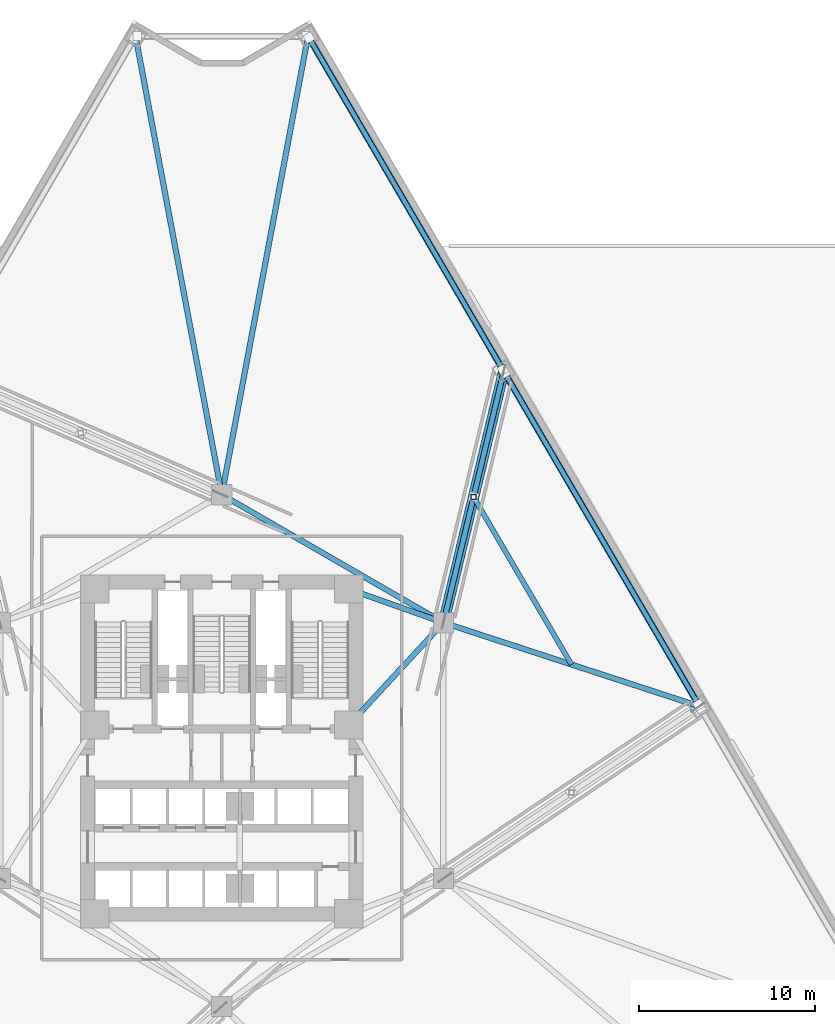
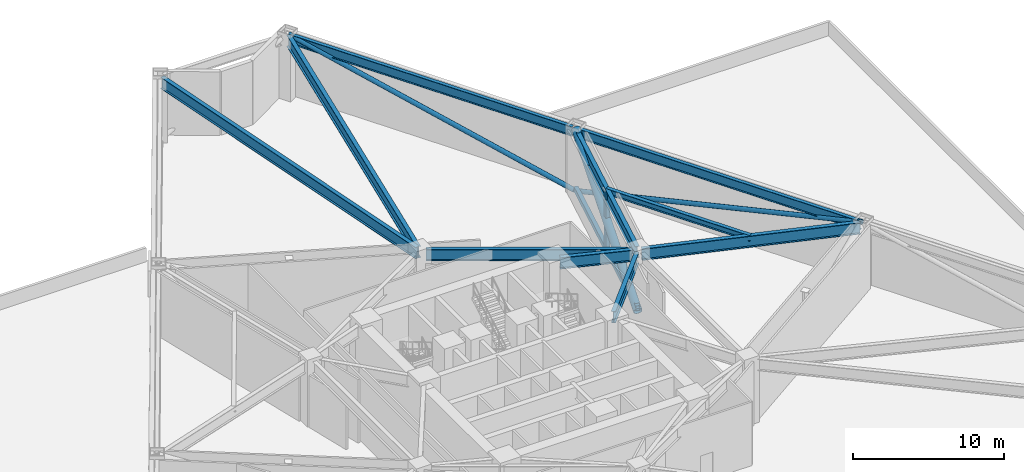
# One storey, part 6 of 23: 10 beams, 5 members.
"""IFC4 building model written with IfcOpenShell, lengths in metres."""

import ifcopenshell
import ifcopenshell.guid

model = None  # the IFC model being written
_history = None  # IfcOwnerHistory: only IFC2X3 demands one
_inside = {}  # id of a spatial element -> (the spatial element, [elements in it])
_under = {}  # id of a project, library or spatial element -> (it, [spatial elements below it])
_declared = {}  # id of a project -> (the project, [libraries it declares])
_typed = {}  # id of a type object -> (the type object, [elements of that type])
_made_of = {}  # id of a material, layer set ... -> (it, [elements and type objects made of it])


def new_model(schema):
    """Start an empty IFC model of exactly this schema.

    Asked for "IFC4X3", IfcOpenShell would pick the latest addendum, in which some entities
    have other attributes; the version numbers below select the first issue.
    IFC2X3 requires an IfcOwnerHistory on every rooted entity: one is made here for all.
    """
    global model, _history
    if schema == "IFC4X3":
        model = ifcopenshell.file(schema_version=(4, 3, 0, 0))
    else:
        model = ifcopenshell.file(schema=schema)
    _inside.clear()
    _under.clear()
    _declared.clear()
    _typed.clear()
    _made_of.clear()
    _history = None
    if model.schema == "IFC2X3":
        org = make("IfcOrganization", Name="unknown")
        user = make(
            "IfcPersonAndOrganization",
            ThePerson=make("IfcPerson", FamilyName="unknown"),
            TheOrganization=org,
        )
        app = make(
            "IfcApplication",
            ApplicationDeveloper=org,
            Version="unknown",
            ApplicationFullName="unknown",
            ApplicationIdentifier="unknown",
        )
        _history = make(
            "IfcOwnerHistory",
            OwningUser=user,
            OwningApplication=app,
            ChangeAction="ADDED",
            CreationDate=0,
        )
    return model


def make(cls, **values):
    """One entity of the class cls with the attributes given. An attribute that is None is left unset."""
    return model.create_entity(
        cls, **{name: value for name, value in values.items() if value is not None}
    )


def rooted(cls, **values):
    """An entity with a GlobalId (a new one), such as an element, a storey or a relation."""
    return make(cls, GlobalId=ifcopenshell.guid.new(), OwnerHistory=_history, **values)


def si_unit(unit_type, name, prefix=None):
    """IfcSIUnit, for example si_unit("LENGTHUNIT", "METRE", prefix="MILLI")."""
    return make("IfcSIUnit", UnitType=unit_type, Prefix=prefix, Name=name)


def assignment(units):
    """IfcUnitAssignment: the units of a project."""
    return None if units is None else make("IfcUnitAssignment", Units=units)


def point(xyz):
    """IfcCartesianPoint."""
    return None if xyz is None else make("IfcCartesianPoint", Coordinates=xyz)


def direction(xyz):
    """IfcDirection."""
    return None if xyz is None else make("IfcDirection", DirectionRatios=xyz)


def frame(location, z_axis=None, x_axis=None):
    """IfcAxis2Placement3D, a coordinate frame: its origin and axes. An axis left out is left unset."""
    return make(
        "IfcAxis2Placement3D",
        Location=point(location),
        Axis=direction(z_axis),
        RefDirection=direction(x_axis),
    )


def frame_2d(location, x_axis=None):
    """IfcAxis2Placement2D, a coordinate frame in the plane: its origin and x axis."""
    return make(
        "IfcAxis2Placement2D", Location=point(location), RefDirection=direction(x_axis)
    )


def origin():
    """The frame at (0, 0, 0) with its axes left unset."""
    return frame((0.0, 0.0, 0.0))


def origin_2d():
    """The frame at (0, 0) in the plane with its x axis left unset."""
    return frame_2d((0.0, 0.0))


def place(relative_to, where):
    """IfcLocalPlacement: puts the frame where relative to a parent placement (None: the world)."""
    return make(
        "IfcLocalPlacement", PlacementRelTo=relative_to, RelativePlacement=where
    )


def context(
    kind, dimensions, precision=None, world=None, true_north=None, identifier=None
):
    """IfcGeometricRepresentationContext, for example the 3D "Model" context."""
    return make(
        "IfcGeometricRepresentationContext",
        ContextIdentifier=identifier,
        ContextType=kind,
        CoordinateSpaceDimension=dimensions,
        Precision=precision,
        WorldCoordinateSystem=world,
        TrueNorth=true_north,
    )


def subcontext(parent, identifier, kind, view, scale=None):
    """IfcGeometricRepresentationSubContext, for example "Body" below "Model"."""
    return make(
        "IfcGeometricRepresentationSubContext",
        ContextIdentifier=identifier,
        ContextType=kind,
        ParentContext=parent,
        TargetScale=scale,
        TargetView=view,
    )


def project(units=None, contexts=None):
    """IfcProject with its units and contexts."""
    return rooted(
        "IfcProject",
        Name="project",
        RepresentationContexts=contexts,
        UnitsInContext=assignment(units),
    )


def spatial(cls, under=None, at=None, **own):
    """A site, building, storey or space (cls), placed at a placement, below another one or the project."""
    s = rooted(cls, ObjectPlacement=at, **own)
    if under is not None:
        _under.setdefault(under.id(), (under, []))[1].append(s)
    return s


def profile(cls, at=None, kind="AREA", **sizes):
    """A parametric profile (cls). Its sizes go by their IFC names, for example OverallWidth=200.0."""
    return make(cls, ProfileType=kind, Position=at, **sizes)


def hollow_rectangle(**sizes):
    """IfcRectangleHollowProfileDef."""
    return profile("IfcRectangleHollowProfileDef", **sizes)


def hollow_circle(**sizes):
    """IfcCircleHollowProfileDef."""
    return profile("IfcCircleHollowProfileDef", **sizes)


def i_section(**sizes):
    """IfcIShapeProfileDef."""
    return profile("IfcIShapeProfileDef", **sizes)


def extrude(swept, where, along, depth):
    """IfcExtrudedAreaSolid: the profile swept, set in the frame where, extruded along a direction by depth."""
    return make(
        "IfcExtrudedAreaSolid",
        SweptArea=swept,
        Position=where,
        ExtrudedDirection=direction(along),
        Depth=depth,
    )


def shape(context_of_items, identifier, shape_type, items):
    """IfcShapeRepresentation: the items that make up one representation, for example the "Body"."""
    return make(
        "IfcShapeRepresentation",
        ContextOfItems=context_of_items,
        RepresentationIdentifier=identifier,
        RepresentationType=shape_type,
        Items=items,
    )


def material(Name=None, Category=None):
    """IfcMaterial."""
    return make("IfcMaterial", Name=Name, Category=Category)


def material_profile(
    of_material, cross_section, Name=None, Category=None, Priority=None
):
    """IfcMaterialProfile: a cross section and its material."""
    return make(
        "IfcMaterialProfile",
        Name=Name,
        Material=of_material,
        Profile=cross_section,
        Priority=Priority,
        Category=Category,
    )


def profile_set(profiles, Name=None, composite=None):
    """IfcMaterialProfileSet."""
    return make(
        "IfcMaterialProfileSet",
        Name=Name,
        MaterialProfiles=profiles,
        CompositeProfile=composite,
    )


def made_of(thing, what):
    """Note that an element or type object is made of a material, layer set ...; save() writes the relation."""
    if what is not None:
        _made_of.setdefault(what.id(), (what, []))[1].append(thing)
    return thing


def type_object(cls, material=None, **own):
    """A type object (cls), such as IfcWallType, which elements share."""
    return made_of(rooted(cls, **own), material)


def element(
    cls,
    number,
    at=None,
    inside=None,
    cuts=None,
    type_object=None,
    material=None,
    context=None,
    identifier="Body",
    shape_type=None,
    held_by="IfcProductDefinitionShape",
    body=None,
    shapes=None,
    **own,
):
    """One element of the class cls, such as IfcWall. Its Tag is "e" and its number.

    at: its placement. inside: the storey or other place that contains it. cuts: it is an
    opening in that element (IfcRelVoidsElement). A single representation is given by context,
    identifier, shape_type and body (its items); several are given by shapes. held_by: the class
    of the entity that holds the representations. save() writes the other relations.
    """
    e = rooted(cls, Tag="e%d" % number, ObjectPlacement=at, **own)
    if body is not None:
        shapes = [shape(context, identifier, shape_type, body)]
    if shapes is not None:
        e.Representation = make(held_by, Representations=shapes)
    if inside is not None:
        _inside.setdefault(inside.id(), (inside, []))[1].append(e)
    if cuts is not None:
        rooted(
            "IfcRelVoidsElement", RelatingBuildingElement=cuts, RelatedOpeningElement=e
        )
    if type_object is not None:
        _typed.setdefault(type_object.id(), (type_object, []))[1].append(e)
    return made_of(e, material)


def aggregate(whole, parts):
    """IfcRelAggregates: a whole, such as a stair, and the parts it consists of."""
    return rooted("IfcRelAggregates", RelatingObject=whole, RelatedObjects=parts)


def save(model, path):
    """Write the relations noted so far, then the file.

    IfcRelAggregates (storeys below a building ...), IfcRelContainedInSpatialStructure (elements
    in a storey), IfcRelDefinesByType, IfcRelAssociatesMaterial and IfcRelDeclares: one each for
    every whole, place, type object, material and project.
    """
    for whole, parts in _under.values():
        aggregate(whole, parts)
    for where, things in _inside.values():
        rooted(
            "IfcRelContainedInSpatialStructure",
            RelatedElements=things,
            RelatingStructure=where,
        )
    for kind, things in _typed.values():
        rooted("IfcRelDefinesByType", RelatedObjects=things, RelatingType=kind)
    for what, things in _made_of.values():
        rooted("IfcRelAssociatesMaterial", RelatedObjects=things, RelatingMaterial=what)
    for by, libraries in _declared.values():
        rooted("IfcRelDeclares", RelatingContext=by, RelatedDefinitions=libraries)
    model.write(path)


model = new_model("IFC4")

# Units and contexts
model_context = context("Model", 3, precision=1e-05, world=origin(), true_north=direction((0.0, 1.0)))
body_context = subcontext(model_context, "Body", "Model", "MODEL_VIEW")
ifc_project = project(units=[si_unit("LENGTHUNIT", "METRE"), si_unit("AREAUNIT", "SQUARE_METRE"), si_unit("VOLUMEUNIT", "CUBIC_METRE"), si_unit("PLANEANGLEUNIT", "RADIAN"), si_unit("MASSUNIT", "GRAM", prefix="KILO")], contexts=[model_context])

# Site, building, storey
site_placement = place(None, origin())
site = spatial("IfcSite", under=ifc_project, at=site_placement, CompositionType="ELEMENT")
building_placement = place(site_placement, origin())
building = spatial("IfcBuilding", under=site, at=building_placement, Name="Apsidion Concourse Tower", CompositionType="ELEMENT")
storey_placement = place(building_placement, frame((0.0, 0.0, 29.0)))
storey = spatial("IfcBuildingStorey", under=building, at=storey_placement, Name="L05", CompositionType="ELEMENT", Elevation=29.0)

# Beams
ifc_material_1 = material(Name="Structural steel ASTM A992 Grade 50", Category="steel")
ifc_material_profile_1 = material_profile(ifc_material_1, i_section(OverallWidth=0.283935546875, OverallDepth=0.47607421875, WebThickness=0.014892578125, FlangeThickness=0.02392578125, at=origin_2d()), Name="W18X106")
ifc_profile_set_1 = profile_set([ifc_material_profile_1], Name="Structural steel ASTM A992 Grade 50")
beam_type_1 = type_object("IfcBeamType", Name="BM-FL-W18H", PredefinedType="BEAM", material=ifc_profile_set_1)
beam_1_placement = place(storey_placement, frame((19.8125, 4.878173828125, 4.912109375), z_axis=(-0.504293469124, 0.863532336974, 0.0), x_axis=(-0.863532336974, -0.504293469124, 0.0)))
element("IfcBeam", 1, at=beam_1_placement, inside=storey, type_object=beam_type_1, Name="L05 Secondary Floor Beam SEC-F3", PredefinedType="BEAM", context=body_context, shape_type="SweptSolid", body=[
    extrude(i_section(OverallWidth=0.283935546875, OverallDepth=0.47607421875, WebThickness=0.014892578125, FlangeThickness=0.02392578125, at=origin_2d()), origin(), (0.0, 0.0, 1.0), 10.993896484375),
])
ifc_material_profile_2 = material_profile(ifc_material_1, i_section(OverallWidth=0.31005859375, OverallDepth=0.931884765625, WebThickness=0.02099609375, FlangeThickness=0.034423828125, at=origin_2d()), Name="W36X210")
ifc_profile_set_2 = profile_set([ifc_material_profile_2], Name="Structural steel ASTM A992 Grade 50")
beam_type_2 = type_object("IfcBeamType", Name="BM-G-W36", PredefinedType="USERDEFINED", material=ifc_profile_set_2)
beam_2_placement = place(storey_placement, frame((12.28857421875, 6.956298828125, 4.68408203125), z_axis=(-0.678712876106, -0.73440372535, 0.0), x_axis=(0.73440372535, -0.678712876106, 0.0)))
element("IfcBeam", 2, at=beam_2_placement, inside=storey, type_object=beam_type_2, Name="L05 Core Coupling Girder IC3-SC3", ObjectType="GIRDER", PredefinedType="USERDEFINED", context=body_context, shape_type="SweptSolid", body=[
    extrude(i_section(OverallWidth=0.31005859375, OverallDepth=0.931884765625, WebThickness=0.02099609375, FlangeThickness=0.034423828125, at=origin_2d()), origin(), (0.0, 0.0, 1.0), 7.097412109375),
])
beam_3_placement = place(storey_placement, frame((12.18310546875, 7.383544921875, 4.68408203125), z_axis=(-0.942533844539, 0.334110688094, 0.0), x_axis=(-0.334110688094, -0.942533844539, 0.0)))
element("IfcBeam", 3, at=beam_3_placement, inside=storey, type_object=beam_type_2, Name="L05 Core Coupling Girder IC3-SC4", ObjectType="GIRDER", PredefinedType="USERDEFINED", context=body_context, shape_type="SweptSolid", body=[
    extrude(i_section(OverallWidth=0.31005859375, OverallDepth=0.931884765625, WebThickness=0.02099609375, FlangeThickness=0.034423828125, at=origin_2d()), origin(), (0.0, 0.0, 1.0), 4.886962890625),
])
beam_4_placement = place(storey_placement, frame((0.346435546875, 14.300048828125, 4.68408203125), z_axis=(0.866070471464, -0.499921932364, 0.0), x_axis=(0.499921932364, 0.866070471464, 0.0)))
element("IfcBeam", 4, at=beam_4_placement, inside=storey, type_object=beam_type_2, Name="L05 Core Coupling Girder IC4-IC3", ObjectType="GIRDER", PredefinedType="USERDEFINED", context=body_context, shape_type="SweptSolid", body=[
    extrude(i_section(OverallWidth=0.31005859375, OverallDepth=0.931884765625, WebThickness=0.02099609375, FlangeThickness=0.034423828125, at=origin_2d()), origin(), (0.0, 0.0, 1.0), 13.702392578125),
])
beam_5_placement = place(storey_placement, frame((-0.040771484375, 14.71630859375, 4.68408203125), z_axis=(-0.184866293989, 0.982763681333, 0.0), x_axis=(-0.982763681333, -0.184866293989, 0.0)))
element("IfcBeam", 5, at=beam_5_placement, inside=storey, type_object=beam_type_2, Name="L05 Radial Floor Girder RAD-01", ObjectType="GIRDER", PredefinedType="USERDEFINED", context=body_context, shape_type="SweptSolid", body=[
    extrude(i_section(OverallWidth=0.31005859375, OverallDepth=0.931884765625, WebThickness=0.02099609375, FlangeThickness=0.034423828125, at=origin_2d()), origin(), (0.0, 0.0, 1.0), 25.99658203125),
])
beam_6_placement = place(storey_placement, frame((12.76904296875, 7.181640625, 4.68408203125), z_axis=(0.950465100465, -0.310831293145, 0.0), x_axis=(0.310831293145, 0.950465100465, 0.0)))
element("IfcBeam", 6, at=beam_6_placement, inside=storey, type_object=beam_type_2, Name="L05 Radial Floor Girder RAD-10", ObjectType="GIRDER", PredefinedType="USERDEFINED", context=body_context, shape_type="SweptSolid", body=[
    extrude(i_section(OverallWidth=0.31005859375, OverallDepth=0.931884765625, WebThickness=0.02099609375, FlangeThickness=0.034423828125, at=origin_2d()), origin(), (0.0, 0.0, 1.0), 14.8212890625),
])
beam_7_placement = place(storey_placement, frame((12.611328125, 7.4638671875, 4.68408203125), z_axis=(0.233233219452, 0.972420827288, 0.0), x_axis=(-0.972420827288, 0.233233219452, 0.0)))
element("IfcBeam", 7, at=beam_7_placement, inside=storey, type_object=beam_type_2, Name="L05 Radial Floor Girder RAD-11", ObjectType="GIRDER", PredefinedType="USERDEFINED", context=body_context, shape_type="SweptSolid", body=[
    extrude(i_section(OverallWidth=0.31005859375, OverallDepth=0.931884765625, WebThickness=0.02099609375, FlangeThickness=0.034423828125, at=origin_2d()), origin(), (0.0, 0.0, 1.0), 14.207763671875),
])
beam_8_placement = place(storey_placement, frame((0.040771484375, 14.71630859375, 4.68408203125), z_axis=(0.184866293989, 0.982763681333, 0.0), x_axis=(-0.982763681333, 0.184866293989, 0.0)))
element("IfcBeam", 8, at=beam_8_placement, inside=storey, type_object=beam_type_2, Name="L05 Radial Floor Girder RAD-12", ObjectType="GIRDER", PredefinedType="USERDEFINED", context=body_context, shape_type="SweptSolid", body=[
    extrude(i_section(OverallWidth=0.31005859375, OverallDepth=0.931884765625, WebThickness=0.02099609375, FlangeThickness=0.034423828125, at=origin_2d()), origin(), (0.0, 0.0, 1.0), 25.99658203125),
])
ifc_material_profile_3 = material_profile(ifc_material_1, i_section(OverallWidth=0.26806640625, OverallDepth=0.77001953125, WebThickness=0.015625, FlangeThickness=0.025390625, at=origin_2d()), Name="W30X132")
ifc_profile_set_3 = profile_set([ifc_material_profile_3], Name="Structural steel ASTM A992 Grade 50")
beam_type_3 = type_object("IfcBeamType", Name="BM-SP-W30", PredefinedType="SPANDREL", material=ifc_profile_set_3)
for number, where, z_axis, x_axis, name in (
    (9, (26.954345703125, 2.6962890625, 4.764892578125), (-0.504316170532, 0.863519079198, 0.0), (-0.863519079198, -0.504316170532, 0.0), "L05 Perimeter Spandrel Girder SP-10"),
    (10, (15.865478515625, 21.68359375, 4.764892578125), (-0.504316170532, 0.863519079198, 0.0), (-0.863519079198, -0.504316170532, 0.0), "L05 Perimeter Spandrel Girder SP-11"),
):
    element("IfcBeam", number, at=place(storey_placement, frame(where, z_axis=z_axis, x_axis=x_axis)), inside=storey, type_object=beam_type_3, Name=name, PredefinedType="SPANDREL", context=body_context, shape_type="SweptSolid", body=[
        extrude(i_section(OverallWidth=0.26806640625, OverallDepth=0.77001953125, WebThickness=0.015625, FlangeThickness=0.025390625, at=origin_2d()), origin(), (0.0, 0.0, 1.0), 21.54833984375),
    ])

# Members
ifc_material_2 = material(Name="Structural steel ASTM A500 Grade C", Category="steel")
ifc_material_profile_4 = material_profile(ifc_material_2, hollow_circle(Radius=0.177978515625, WallThickness=0.02001953125, at=origin_2d()), Name="CHS356X20")
ifc_profile_set_4 = profile_set([ifc_material_profile_4], Name="Structural steel ASTM A500 Grade C")
member_type_1 = type_object("IfcMemberType", Name="MB-BR-CHS356", PredefinedType="BRACE", material=ifc_profile_set_4)
for number, where, z_axis, x_axis, name in (
    (11, (16.026611328125, 21.4072265625, 0.0), (0.491298399655, -0.84121533663, 0.225793356667), (0.863515432332, 0.504322414855, 0.0), "L05 Perimeter Belt-Truss Diagonal BT-10"),
    (12, (15.92578125, 21.580078125, 0.0), (-0.491277326091, 0.841227550442, 0.225793705066), (-0.863528041504, -0.504300824446, 0.0), "L05 Perimeter Belt-Truss Diagonal BT-11"),
):
    element("IfcMember", number, at=place(storey_placement, frame(where, z_axis=z_axis, x_axis=x_axis)), inside=storey, type_object=member_type_1, Name=name, PredefinedType="BRACE", context=body_context, shape_type="SweptSolid", body=[
        extrude(hollow_circle(Radius=0.177978515625, WallThickness=0.02001953125, at=origin_2d()), origin(), (0.0, 0.0, 1.0), 22.36572265625),
    ])
ifc_material_3 = material(Name="Structural steel ASTM A572 Grade 50", Category="steel")
ifc_material_profile_5 = material_profile(ifc_material_3, hollow_circle(Radius=0.304931640625, WallThickness=0.031982421875, at=origin_2d()), Name="CHS610X32")
ifc_profile_set_5 = profile_set([ifc_material_profile_5], Name="Structural steel ASTM A572 Grade 50")
member_type_2 = type_object("IfcMemberType", Name="MB-BR-CHS610", PredefinedType="BRACE", material=ifc_profile_set_5)
member_1_placement = place(storey_placement, frame((12.583251953125, 7.34716796875, 0.0), z_axis=(0.220166334335, 0.917960576413, 0.329962369637), x_axis=(-0.972421956783, 0.233228510192, 0.0)))
element("IfcMember", 13, at=member_1_placement, inside=storey, type_object=member_type_2, Name="L05 Radial Outrigger Truss Diagonal OT-03", PredefinedType="BRACE", context=body_context, shape_type="SweptSolid", body=[
    extrude(hollow_circle(Radius=0.304931640625, WallThickness=0.031982421875, at=origin_2d()), origin(), (0.0, 0.0, 1.0), 15.304931640625),
])
ifc_material_profile_6 = material_profile(ifc_material_2, hollow_rectangle(XDim=0.300048828125, YDim=0.39990234375, WallThickness=0.02001953125, at=origin_2d()), Name="HSS400X300X20")
ifc_profile_set_6 = profile_set([ifc_material_profile_6], Name="Structural steel ASTM A500 Grade C")
member_type_3 = type_object("IfcMemberType", Name="MB-CH-HSS400", PredefinedType="CHORD", material=ifc_profile_set_6)
member_2_placement = place(storey_placement, frame((12.583251953125, 7.34716796875, 0.219970703125), z_axis=(0.233228510192, 0.972421956783, 0.0), x_axis=(-0.972421956783, 0.233228510192, 0.0)))
element("IfcMember", 14, at=member_2_placement, inside=storey, type_object=member_type_3, Name="L05 Radial Outrigger Bottom Chord OTC-03", PredefinedType="CHORD", context=body_context, shape_type="SweptSolid", body=[
    extrude(hollow_rectangle(XDim=0.300048828125, YDim=0.39990234375, WallThickness=0.02001953125, at=origin_2d()), origin(), (0.0, 0.0, 1.0), 14.44775390625),
])
ifc_material_profile_7 = material_profile(ifc_material_2, hollow_rectangle(XDim=0.300048828125, YDim=0.300048828125, WallThickness=0.02001953125, at=origin_2d()), Name="HSS300X300X20")
ifc_profile_set_7 = profile_set([ifc_material_profile_7], Name="Structural steel ASTM A500 Grade C")
member_type_4 = type_object("IfcMemberType", Name="MB-ST-HSS300", PredefinedType="STRUT", material=ifc_profile_set_7)
member_3_placement = place(storey_placement, frame((14.26806640625, 14.371826171875, 0.219970703125), z_axis=(0.0, 0.0, 1.0), x_axis=(1.0, 0.0, 0.0)))
element("IfcMember", 15, at=member_3_placement, inside=storey, type_object=member_type_4, Name="L05 Outrigger Truss Compression Strut OTV-03", PredefinedType="STRUT", context=body_context, shape_type="SweptSolid", body=[
    extrude(hollow_rectangle(XDim=0.300048828125, YDim=0.300048828125, WallThickness=0.02001953125, at=origin_2d()), origin(), (0.0, 0.0, 1.0), 4.830078125),
])

save(model, "model.ifc")
